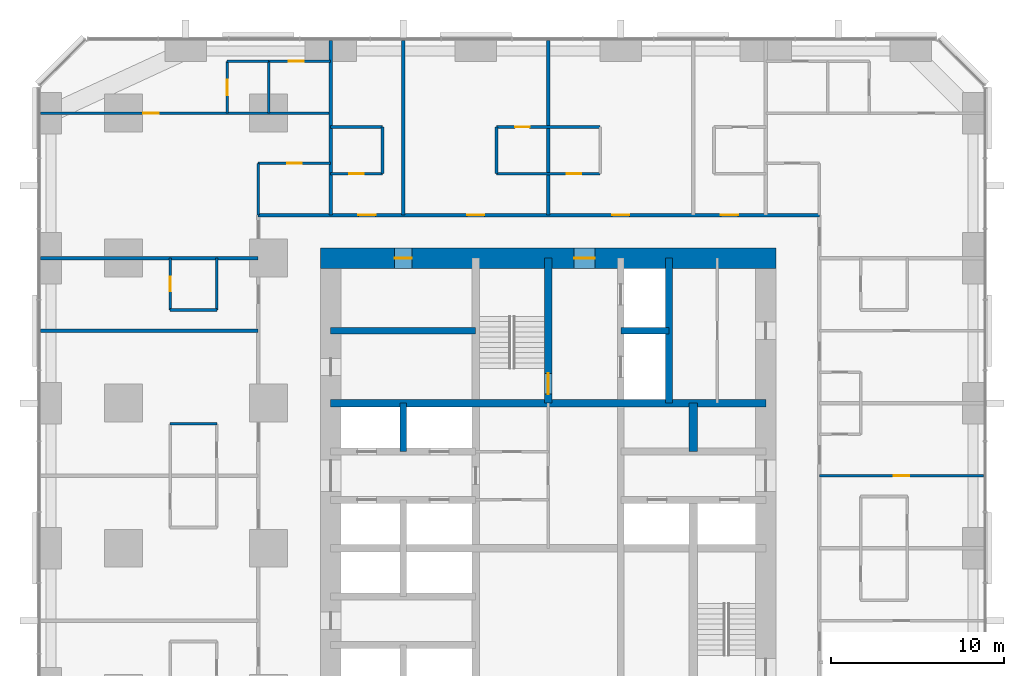
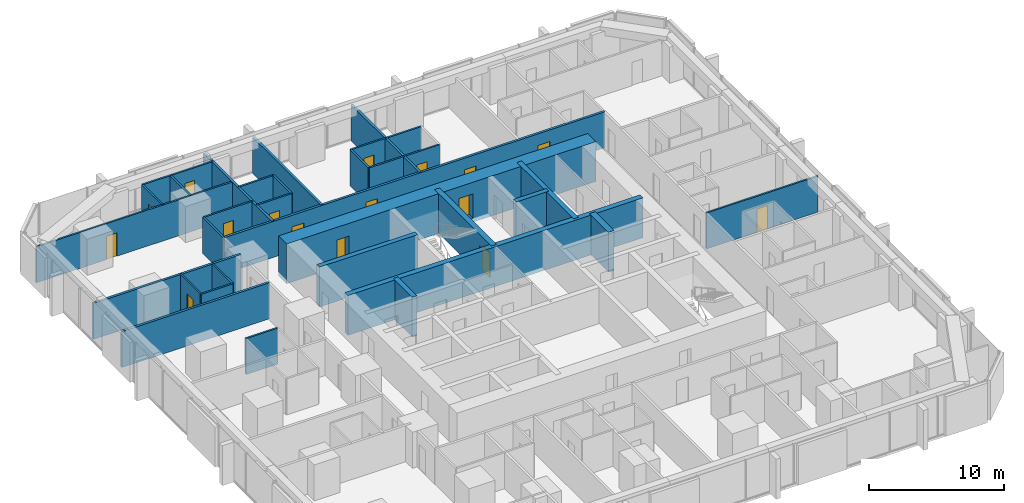
# One storey, part 11 of 13: 32 walls, 16 doors, 16 openings.
"""IFC4 building model written with IfcOpenShell, lengths in metres."""

from ifc_helpers import new_model, si_unit, direction, frame, frame_2d, origin, place, context, subcontext, project, spatial, rectangle, extrude, material, layer, layer_set, type_object, element, fill, save


model = new_model("IFC4")

# Units and contexts
model_context = context("Model", 3, precision=1e-05, world=origin(), true_north=direction((0.0, 1.0)))
body_context = subcontext(model_context, "Body", "Model", "MODEL_VIEW")
ifc_project = project(units=[si_unit("LENGTHUNIT", "METRE"), si_unit("AREAUNIT", "SQUARE_METRE"), si_unit("VOLUMEUNIT", "CUBIC_METRE"), si_unit("PLANEANGLEUNIT", "RADIAN"), si_unit("MASSUNIT", "GRAM", prefix="KILO")], contexts=[model_context])

# Site, building, storey
site_placement = place(None, origin())
site = spatial("IfcSite", under=ifc_project, at=site_placement, CompositionType="ELEMENT")
building_placement = place(site_placement, origin())
building = spatial("IfcBuilding", under=site, at=building_placement, Name="Dunama Terrace Hotel", CompositionType="ELEMENT")
storey_placement = place(building_placement, frame((0.0, 0.0, 144.0)))
storey = spatial("IfcBuildingStorey", under=building, at=storey_placement, Name="L37", CompositionType="ELEMENT", Elevation=144.0)

# Wall, opening, door
ifc_material_1 = material(Name="Gypsum board partition", Category="masonry")
ifc_layer_1 = layer(ifc_material_1, 0.14990234375)
ifc_layer_set_1 = layer_set([ifc_layer_1], Name="Bathroom partition 150")
wall_type_1 = type_object("IfcWallType", Name="Bathroom partition 150", PredefinedType="PARTITIONING", material=ifc_layer_set_1)
wall_1_placement = place(storey_placement, frame((7.5, 39.0, 0.0), z_axis=(0.0, 0.0, 1.0), x_axis=(0.0, 1.0, 0.0)))
wall_1 = element("IfcWall", 1, at=wall_1_placement, inside=storey, type_object=wall_type_1, Name="Bathroom partition 150 L37", PredefinedType="PARTITIONING", context=body_context, shape_type="SweptSolid", body=[
    extrude(rectangle(XDim=3.0, YDim=0.14990234375, at=frame_2d((1.5, 0.0))), origin(), (0.0, 0.0, 1.0), 3.25),
])
opening_1_placement = place(wall_1_placement, frame((1.074951171875, 0.0, 0.0)))
opening_1 = element("IfcOpeningElement", 2, at=opening_1_placement, cuts=wall_1, Name="Opening L37-048", PredefinedType="OPENING", context=body_context, shape_type="SweptSolid", body=[
    extrude(rectangle(XDim=0.85009765625, YDim=2.10009765625, at=frame_2d((0.425048828125, 1.050048828125))), frame((0.0, 0.0849609375, 0.0), z_axis=(0.0, -1.0, 0.0), x_axis=(1.0, 0.0, 0.0)), (0.0, 0.0, 1.0), 0.169921875),
])
ifc_material_2 = material(Name="Timber door with steel frame", Category="steel")
door_type_1 = type_object("IfcDoorType", Name="Bathroom door 850", OperationType="SINGLE_SWING_LEFT", PredefinedType="DOOR", material=ifc_material_2)
door_1_placement = place(opening_1_placement, frame((0.85009765625, 0.0, 0.0), z_axis=(0.0, 0.0, 1.0), x_axis=(-1.0, 0.0, 0.0)))
door_1 = element("IfcDoor", 3, at=door_1_placement, inside=storey, type_object=door_type_1, Name="Door to en-suite bathroom L37-048, type D2", OperationType="SINGLE_SWING_LEFT", OverallHeight=2.10009765625, OverallWidth=0.85009765625, PredefinedType="DOOR", context=body_context, shape_type="SweptSolid", body=[
    extrude(rectangle(XDim=0.85009765625, YDim=2.10009765625, at=frame_2d((0.425048828125, 1.050048828125))), frame((0.0, 0.025146484375, 0.0), z_axis=(0.0, -1.0, 0.0), x_axis=(1.0, 0.0, 0.0)), (0.0, 0.0, 1.0), 0.050048828125),
])
fill(opening_1, door_1)

# Walls
for number, where, z_axis, x_axis, name in (
    (4, (10.199951171875, 39.0, 0.0), (0.0, 0.0, 1.0), (0.0, 1.0, 0.0), "Bathroom partition 150 L37"),
    (5, (12.60009765625, 44.5, 0.0), (0.0, 0.0, 1.0), (0.0, 1.0, 0.0), "Bathroom partition 150 L37"),
):
    element("IfcWall", number, at=place(storey_placement, frame(where, z_axis=z_axis, x_axis=x_axis)), inside=storey, type_object=wall_type_1, Name=name, PredefinedType="PARTITIONING", context=body_context, shape_type="SweptSolid", body=[
        extrude(rectangle(XDim=3.0, YDim=0.14990234375, at=frame_2d((1.5, 0.0))), origin(), (0.0, 0.0, 1.0), 3.25),
    ])
for number, where, z_axis, x_axis, name in (
    (6, (19.800048828125, 46.89990234375, 0.0), (0.0, 0.0, 1.0), (0.0, 1.0, 0.0), "Bathroom partition 150 L37"),
    (7, (26.39990234375, 46.89990234375, 0.0), (0.0, 0.0, 1.0), (0.0, 1.0, 0.0), "Bathroom partition 150 L37"),
):
    element("IfcWall", number, at=place(storey_placement, frame(where, z_axis=z_axis, x_axis=x_axis)), inside=storey, type_object=wall_type_1, Name=name, PredefinedType="PARTITIONING", context=body_context, shape_type="SweptSolid", body=[
        extrude(rectangle(XDim=2.7001953125, YDim=0.14990234375, at=frame_2d((1.35009765625, 0.0))), origin(), (0.0, 0.0, 1.0), 3.25),
    ])
for number, where, z_axis, x_axis, name in (
    (8, (7.5, 32.39990234375, 0.0), (0.0, 0.0, 1.0), (1.0, 0.0, 0.0), "Bathroom partition 150 L37"),
    (9, (7.5, 39.0, 0.0), (0.0, 0.0, 1.0), (1.0, 0.0, 0.0), "Bathroom partition 150 L37"),
):
    element("IfcWall", number, at=place(storey_placement, frame(where, z_axis=z_axis, x_axis=x_axis)), inside=storey, type_object=wall_type_1, Name=name, PredefinedType="PARTITIONING", context=body_context, shape_type="SweptSolid", body=[
        extrude(rectangle(XDim=2.699951171875, YDim=0.14990234375, at=frame_2d((1.35009765625, 0.0))), origin(), (0.0, 0.0, 1.0), 3.25),
    ])

# Wall, opening, door
wall_2_placement = place(storey_placement, frame((16.800048828125, 46.89990234375, 0.0), z_axis=(0.0, 0.0, 1.0), x_axis=(1.0, 0.0, 0.0)))
wall_2 = element("IfcWall", 10, at=wall_2_placement, inside=storey, type_object=wall_type_1, Name="Bathroom partition 150 L37", PredefinedType="PARTITIONING", context=body_context, shape_type="SweptSolid", body=[
    extrude(rectangle(XDim=3.0, YDim=0.14990234375, at=frame_2d((1.5, 0.0))), origin(), (0.0, 0.0, 1.0), 3.25),
])
opening_2_placement = place(wall_2_placement, frame((1.074951171875, 0.0, 0.0)))
opening_2 = element("IfcOpeningElement", 11, at=opening_2_placement, cuts=wall_2, Name="Opening L37-034", PredefinedType="OPENING", context=body_context, shape_type="SweptSolid", body=[
    extrude(rectangle(XDim=0.85009765625, YDim=2.10009765625, at=frame_2d((0.425048828125, 1.050048828125))), frame((0.0, 0.0849609375, 0.0), z_axis=(0.0, -1.0, 0.0), x_axis=(1.0, 0.0, 0.0)), (0.0, 0.0, 1.0), 0.169921875),
])
door_2_placement = place(opening_2_placement, origin())
door_2 = element("IfcDoor", 12, at=door_2_placement, inside=storey, type_object=door_type_1, Name="Door to en-suite bathroom L37-034, type D2", OperationType="SINGLE_SWING_LEFT", OverallHeight=2.10009765625, OverallWidth=0.85009765625, PredefinedType="DOOR", context=body_context, shape_type="SweptSolid", body=[
    extrude(rectangle(XDim=0.85009765625, YDim=2.10009765625, at=frame_2d((0.425048828125, 1.050048828125))), frame((0.0, 0.02490234375, 0.0), z_axis=(0.0, -1.0, 0.0), x_axis=(1.0, 0.0, 0.0)), (0.0, 0.0, 1.0), 0.050048828125),
])
fill(opening_2, door_2)

wall_3_placement = place(storey_placement, frame((26.39990234375, 46.89990234375, 0.0), z_axis=(0.0, 0.0, 1.0), x_axis=(1.0, 0.0, 0.0)))
wall_3 = element("IfcWall", 13, at=wall_3_placement, inside=storey, type_object=wall_type_1, Name="Bathroom partition 150 L37", PredefinedType="PARTITIONING", context=body_context, shape_type="SweptSolid", body=[
    extrude(rectangle(XDim=6.0, YDim=0.14990234375, at=frame_2d((3.0, 0.0))), origin(), (0.0, 0.0, 1.0), 3.25),
])
opening_3_placement = place(wall_3_placement, frame((4.074951171875, 0.0, 0.0)))
opening_3 = element("IfcOpeningElement", 14, at=opening_3_placement, cuts=wall_3, Name="Opening L37-038", PredefinedType="OPENING", context=body_context, shape_type="SweptSolid", body=[
    extrude(rectangle(XDim=0.85009765625, YDim=2.10009765625, at=frame_2d((0.425048828125, 1.050048828125))), frame((0.0, 0.0849609375, 0.0), z_axis=(0.0, -1.0, 0.0), x_axis=(1.0, 0.0, 0.0)), (0.0, 0.0, 1.0), 0.169921875),
])
door_3_placement = place(opening_3_placement, origin())
door_3 = element("IfcDoor", 15, at=door_3_placement, inside=storey, type_object=door_type_1, Name="Door to en-suite bathroom L37-038, type D2", OperationType="SINGLE_SWING_LEFT", OverallHeight=2.10009765625, OverallWidth=0.85009765625, PredefinedType="DOOR", context=body_context, shape_type="SweptSolid", body=[
    extrude(rectangle(XDim=0.85009765625, YDim=2.10009765625, at=frame_2d((0.425048828125, 1.050048828125))), frame((0.0, 0.02490234375, 0.0), z_axis=(0.0, -1.0, 0.0), x_axis=(1.0, 0.0, 0.0)), (0.0, 0.0, 1.0), 0.050048828125),
])
fill(opening_3, door_3)

wall_4_placement = place(storey_placement, frame((12.60009765625, 47.5, 0.0), z_axis=(0.0, 0.0, 1.0), x_axis=(1.0, 0.0, 0.0)))
wall_4 = element("IfcWall", 16, at=wall_4_placement, inside=storey, type_object=wall_type_1, Name="Bathroom partition 150 L37", PredefinedType="PARTITIONING", context=body_context, shape_type="SweptSolid", body=[
    extrude(rectangle(XDim=4.199951171875, YDim=0.14990234375, at=frame_2d((2.10009765625, 0.0))), origin(), (0.0, 0.0, 1.0), 3.25),
])
opening_4_placement = place(wall_4_placement, frame((1.675048828125, 0.0, 0.0)))
opening_4 = element("IfcOpeningElement", 17, at=opening_4_placement, cuts=wall_4, Name="Opening L37-065", PredefinedType="OPENING", context=body_context, shape_type="SweptSolid", body=[
    extrude(rectangle(XDim=0.85009765625, YDim=2.10009765625, at=frame_2d((0.425048828125, 1.050048828125))), frame((0.0, 0.0849609375, 0.0), z_axis=(0.0, -1.0, 0.0), x_axis=(1.0, 0.0, 0.0)), (0.0, 0.0, 1.0), 0.169921875),
])
door_4_placement = place(opening_4_placement, frame((0.85009765625, 0.0, 0.0), z_axis=(0.0, 0.0, 1.0), x_axis=(-1.0, 0.0, 0.0)))
door_4 = element("IfcDoor", 18, at=door_4_placement, inside=storey, type_object=door_type_1, Name="Door to powder room L37-065, type D2", OperationType="SINGLE_SWING_LEFT", OverallHeight=2.10009765625, OverallWidth=0.85009765625, PredefinedType="DOOR", context=body_context, shape_type="SweptSolid", body=[
    extrude(rectangle(XDim=0.85009765625, YDim=2.10009765625, at=frame_2d((0.425048828125, 1.050048828125))), frame((0.0, 0.025146484375, 0.0), z_axis=(0.0, -1.0, 0.0), x_axis=(1.0, 0.0, 0.0)), (0.0, 0.0, 1.0), 0.050048828125),
])
fill(opening_4, door_4)

# Wall
wall_5_placement = place(storey_placement, frame((16.800048828125, 49.60009765625, 0.0), z_axis=(0.0, 0.0, 1.0), x_axis=(1.0, 0.0, 0.0)))
element("IfcWall", 19, at=wall_5_placement, inside=storey, type_object=wall_type_1, Name="Bathroom partition 150 L37", PredefinedType="PARTITIONING", context=body_context, shape_type="SweptSolid", body=[
    extrude(rectangle(XDim=3.0, YDim=0.14990234375, at=frame_2d((1.5, 0.0))), origin(), (0.0, 0.0, 1.0), 3.25),
])

# Wall, opening, door
wall_6_placement = place(storey_placement, frame((26.39990234375, 49.60009765625, 0.0), z_axis=(0.0, 0.0, 1.0), x_axis=(1.0, 0.0, 0.0)))
wall_6 = element("IfcWall", 20, at=wall_6_placement, inside=storey, type_object=wall_type_1, Name="Bathroom partition 150 L37", PredefinedType="PARTITIONING", context=body_context, shape_type="SweptSolid", body=[
    extrude(rectangle(XDim=6.0, YDim=0.14990234375, at=frame_2d((3.0, 0.0))), origin(), (0.0, 0.0, 1.0), 3.25),
])
opening_5_placement = place(wall_6_placement, frame((1.074951171875, 0.0, 0.0)))
opening_5 = element("IfcOpeningElement", 21, at=opening_5_placement, cuts=wall_6, Name="Opening L37-036", PredefinedType="OPENING", context=body_context, shape_type="SweptSolid", body=[
    extrude(rectangle(XDim=0.85009765625, YDim=2.10009765625, at=frame_2d((0.425048828125, 1.050048828125))), frame((0.0, 0.0849609375, 0.0), z_axis=(0.0, -1.0, 0.0), x_axis=(1.0, 0.0, 0.0)), (0.0, 0.0, 1.0), 0.169921875),
])
door_5_placement = place(opening_5_placement, frame((0.85009765625, 0.0, 0.0), z_axis=(0.0, 0.0, 1.0), x_axis=(-1.0, 0.0, 0.0)))
door_5 = element("IfcDoor", 22, at=door_5_placement, inside=storey, type_object=door_type_1, Name="Door to en-suite bathroom L37-036, type D2", OperationType="SINGLE_SWING_LEFT", OverallHeight=2.10009765625, OverallWidth=0.85009765625, PredefinedType="DOOR", context=body_context, shape_type="SweptSolid", body=[
    extrude(rectangle(XDim=0.85009765625, YDim=2.10009765625, at=frame_2d((0.425048828125, 1.050048828125))), frame((0.0, 0.025146484375, 0.0), z_axis=(0.0, -1.0, 0.0), x_axis=(1.0, 0.0, 0.0)), (0.0, 0.0, 1.0), 0.050048828125),
])
fill(opening_5, door_5)

wall_7_placement = place(storey_placement, frame((13.199951171875, 53.39990234375, 0.0), z_axis=(0.0, 0.0, 1.0), x_axis=(1.0, 0.0, 0.0)))
wall_7 = element("IfcWall", 23, at=wall_7_placement, inside=storey, type_object=wall_type_1, Name="Bathroom partition 150 L37", PredefinedType="PARTITIONING", context=body_context, shape_type="SweptSolid", body=[
    extrude(rectangle(XDim=3.60009765625, YDim=0.14990234375, at=frame_2d((1.800048828125, 0.0))), origin(), (0.0, 0.0, 1.0), 3.25),
])
opening_6_placement = place(wall_7_placement, frame((1.175048828125, 0.0, 0.0)))
opening_6 = element("IfcOpeningElement", 24, at=opening_6_placement, cuts=wall_7, Name="Opening L37-067", PredefinedType="OPENING", context=body_context, shape_type="SweptSolid", body=[
    extrude(rectangle(XDim=0.85009765625, YDim=2.10009765625, at=frame_2d((0.425048828125, 1.050048828125))), frame((0.0, 0.0849609375, 0.0), z_axis=(0.0, -1.0, 0.0), x_axis=(1.0, 0.0, 0.0)), (0.0, 0.0, 1.0), 0.169921875),
])
door_6_placement = place(opening_6_placement, frame((0.85009765625, 0.0, 0.0), z_axis=(0.0, 0.0, 1.0), x_axis=(-1.0, 0.0, 0.0)))
door_6 = element("IfcDoor", 25, at=door_6_placement, inside=storey, type_object=door_type_1, Name="Door to en-suite bathroom L37-067, type D2", OperationType="SINGLE_SWING_LEFT", OverallHeight=2.10009765625, OverallWidth=0.85009765625, PredefinedType="DOOR", context=body_context, shape_type="SweptSolid", body=[
    extrude(rectangle(XDim=0.85009765625, YDim=2.10009765625, at=frame_2d((0.425048828125, 1.050048828125))), frame((0.0, 0.025146484375, 0.0), z_axis=(0.0, -1.0, 0.0), x_axis=(1.0, 0.0, 0.0)), (0.0, 0.0, 1.0), 0.050048828125),
])
fill(opening_6, door_6)

# Walls
ifc_material_3 = material(Name="Concrete C50/60", Category="concrete")
ifc_layer_2 = layer(ifc_material_3, 0.39990234375)
ifc_layer_set_2 = layer_set([ifc_layer_2], Name="Core inner wall 400")
wall_type_2 = type_object("IfcWallType", Name="Core inner wall 400", PredefinedType="SHEAR", material=ifc_layer_set_2)
wall_8_placement = place(storey_placement, frame((21.0, 30.800048828125, -0.35009765625), z_axis=(0.0, 0.0, 1.0), x_axis=(0.0, 1.0, 0.0)))
element("IfcWall", 26, at=wall_8_placement, inside=storey, type_object=wall_type_2, Name="Core inner wall 400 L37", PredefinedType="SHEAR", context=body_context, shape_type="SweptSolid", body=[
    extrude(rectangle(XDim=2.800048828125, YDim=0.39990234375, at=frame_2d((1.39990234375, 0.0))), origin(), (0.0, 0.0, 1.0), 3.60009765625),
])
for number, where, z_axis, x_axis, name in (
    (27, (36.39990234375, 33.60009765625, -0.35009765625), (0.0, 0.0, 1.0), (0.0, 1.0, 0.0), "Core inner wall 400 L37"),
    (28, (16.800048828125, 37.800048828125, -0.35009765625), (0.0, 0.0, 1.0), (1.0, 0.0, 0.0), "Core inner wall 400 L37"),
):
    element("IfcWall", number, at=place(storey_placement, frame(where, z_axis=z_axis, x_axis=x_axis)), inside=storey, type_object=wall_type_2, Name=name, PredefinedType="SHEAR", context=body_context, shape_type="SweptSolid", body=[
        extrude(rectangle(XDim=8.39990234375, YDim=0.39990234375, at=frame_2d((4.199951171875, 0.0))), origin(), (0.0, 0.0, 1.0), 3.60009765625),
    ])
wall_9_placement = place(storey_placement, frame((33.60009765625, 37.800048828125, -0.35009765625), z_axis=(0.0, 0.0, 1.0), x_axis=(1.0, 0.0, 0.0)))
element("IfcWall", 29, at=wall_9_placement, inside=storey, type_object=wall_type_2, Name="Core inner wall 400 L37", PredefinedType="SHEAR", context=body_context, shape_type="SweptSolid", body=[
    extrude(rectangle(XDim=2.7998046875, YDim=0.39990234375, at=frame_2d((1.39990234375, 0.0))), origin(), (0.0, 0.0, 1.0), 3.60009765625),
])

# Wall, opening, door
ifc_material_4 = material(Name="Concrete C50/60", Category="concrete")
ifc_layer_3 = layer(ifc_material_4, 0.449951171875)
ifc_layer_set_3 = layer_set([ifc_layer_3], Name="Core inner wall 450")
wall_type_3 = type_object("IfcWallType", Name="Core inner wall 450", PredefinedType="SHEAR", material=ifc_layer_set_3)
wall_10_placement = place(storey_placement, frame((29.39990234375, 33.60009765625, -0.35009765625), z_axis=(0.0, 0.0, 1.0), x_axis=(0.0, 1.0, 0.0)))
wall_10 = element("IfcWall", 30, at=wall_10_placement, inside=storey, type_object=wall_type_3, Name="Core inner wall 450 L37", PredefinedType="SHEAR", context=body_context, shape_type="SweptSolid", body=[
    extrude(rectangle(XDim=8.39990234375, YDim=0.449951171875, at=frame_2d((4.199951171875, 0.0))), origin(), (0.0, 0.0, 1.0), 3.60009765625),
])
opening_7_placement = place(wall_10_placement, frame((0.52490234375, 0.0, 0.35009765625)))
opening_7 = element("IfcOpeningElement", 31, at=opening_7_placement, cuts=wall_10, Name="Opening L37-001", PredefinedType="OPENING", context=body_context, shape_type="SweptSolid", body=[
    extrude(rectangle(XDim=1.199951171875, YDim=2.199951171875, at=frame_2d((0.60009765625, 1.10009765625))), frame((0.0, 0.23486328125, 0.0), z_axis=(0.0, -1.0, 0.0), x_axis=(1.0, 0.0, 0.0)), (0.0, 0.0, 1.0), 0.469970703125),
])
ifc_material_5 = material(Name="Timber door with steel frame", Category="steel")
door_type_2 = type_object("IfcDoorType", Name="Stair door 1200", OperationType="SINGLE_SWING_LEFT", PredefinedType="DOOR", material=ifc_material_5)
door_7_placement = place(opening_7_placement, origin())
door_7 = element("IfcDoor", 32, at=door_7_placement, inside=storey, type_object=door_type_2, Name="Stair door ST1 L37-001, type D5", OperationType="SINGLE_SWING_LEFT", OverallHeight=2.199951171875, OverallWidth=1.199951171875, PredefinedType="DOOR", context=body_context, shape_type="SweptSolid", body=[
    extrude(rectangle(XDim=1.199951171875, YDim=2.199951171875, at=frame_2d((0.60009765625, 1.10009765625))), frame((0.0, 0.02490234375, 0.0), z_axis=(0.0, -1.0, 0.0), x_axis=(1.0, 0.0, 0.0)), (0.0, 0.0, 1.0), 0.050048828125),
])
fill(opening_7, door_7)

# Walls
wall_11_placement = place(storey_placement, frame((16.800048828125, 33.60009765625, -0.35009765625), z_axis=(0.0, 0.0, 1.0), x_axis=(1.0, 0.0, 0.0)))
element("IfcWall", 33, at=wall_11_placement, inside=storey, type_object=wall_type_3, Name="Core inner wall 450 L37", PredefinedType="SHEAR", context=body_context, shape_type="SweptSolid", body=[
    extrude(rectangle(XDim=25.199951171875, YDim=0.449951171875, at=frame_2d((12.60009765625, 0.0))), origin(), (0.0, 0.0, 1.0), 3.60009765625),
])
ifc_material_6 = material(Name="Concrete C50/60", Category="concrete")
ifc_layer_4 = layer(ifc_material_6, 0.5)
ifc_layer_set_4 = layer_set([ifc_layer_4], Name="Core inner wall 500")
wall_type_4 = type_object("IfcWallType", Name="Core inner wall 500", PredefinedType="SHEAR", material=ifc_layer_set_4)
wall_12_placement = place(storey_placement, frame((37.800048828125, 30.800048828125, -0.35009765625), z_axis=(0.0, 0.0, 1.0), x_axis=(0.0, 1.0, 0.0)))
element("IfcWall", 34, at=wall_12_placement, inside=storey, type_object=wall_type_4, Name="Core inner wall 500 L37", PredefinedType="SHEAR", context=body_context, shape_type="SweptSolid", body=[
    extrude(rectangle(XDim=2.800048828125, YDim=0.5, at=frame_2d((1.39990234375, 0.0))), origin(), (0.0, 0.0, 1.0), 3.60009765625),
])

# Wall, openings, doors
ifc_material_7 = material(Name="Concrete C60/75", Category="concrete")
ifc_layer_5 = layer(ifc_material_7, 1.199951171875)
ifc_layer_set_5 = layer_set([ifc_layer_5], Name="Core wall 1200")
wall_type_5 = type_object("IfcWallType", Name="Core wall 1200", PredefinedType="SHEAR", material=ifc_layer_set_5)
wall_13_placement = place(storey_placement, frame((42.60009765625, 42.0, -0.35009765625), z_axis=(0.0, 0.0, 1.0), x_axis=(-1.0, 0.0, 0.0)))
wall_13 = element("IfcWall", 35, at=wall_13_placement, inside=storey, type_object=wall_type_5, Name="Core wall north L37", PredefinedType="SHEAR", context=body_context, shape_type="SweptSolid", body=[
    extrude(rectangle(XDim=26.400146484375, YDim=1.199951171875, at=frame_2d((13.2001953125, 0.0))), origin(), (0.0, 0.0, 1.0), 3.60009765625),
])
opening_8_placement = place(wall_13_placement, frame((21.10009765625, 0.0, 0.35009765625)))
opening_8 = element("IfcOpeningElement", 36, at=opening_8_placement, cuts=wall_13, Name="Opening L37-072", PredefinedType="OPENING", context=body_context, shape_type="SweptSolid", body=[
    extrude(rectangle(XDim=1.0, YDim=2.10009765625, at=frame_2d((0.5, 1.050048828125))), frame((0.0, 0.60986328125, 0.0), z_axis=(0.0, -1.0, 0.0), x_axis=(1.0, 0.0, 0.0)), (0.0, 0.0, 1.0), 1.219970703125),
])
opening_9_placement = place(wall_13_placement, frame((10.5, 0.0, 0.35009765625)))
opening_9 = element("IfcOpeningElement", 37, at=opening_9_placement, cuts=wall_13, Name="Opening L37-078", PredefinedType="OPENING", context=body_context, shape_type="SweptSolid", body=[
    extrude(rectangle(XDim=1.199951171875, YDim=2.199951171875, at=frame_2d((0.60009765625, 1.10009765625))), frame((0.0, 0.60986328125, 0.0), z_axis=(0.0, -1.0, 0.0), x_axis=(1.0, 0.0, 0.0)), (0.0, 0.0, 1.0), 1.219970703125),
])
ifc_material_8 = material(Name="Timber door with steel frame", Category="steel")
door_type_3 = type_object("IfcDoorType", Name="Firefighting lobby door 1200", OperationType="SINGLE_SWING_LEFT", PredefinedType="DOOR", material=ifc_material_8)
door_8_placement = place(opening_9_placement, origin())
door_8 = element("IfcDoor", 38, at=door_8_placement, inside=storey, type_object=door_type_3, Name="Door to firefighting lobby L37-078, type D4", OperationType="SINGLE_SWING_RIGHT", OverallHeight=2.199951171875, OverallWidth=1.199951171875, PredefinedType="DOOR", context=body_context, shape_type="SweptSolid", body=[
    extrude(rectangle(XDim=1.199951171875, YDim=2.199951171875, at=frame_2d((0.60009765625, 1.10009765625))), frame((0.0, 0.02490234375, 0.0), z_axis=(0.0, -1.0, 0.0), x_axis=(1.0, 0.0, 0.0)), (0.0, 0.0, 1.0), 0.050048828125),
])
fill(opening_9, door_8)
ifc_material_9 = material(Name="Timber door with steel frame", Category="steel")
door_type_4 = type_object("IfcDoorType", Name="Service door 1000", OperationType="SINGLE_SWING_LEFT", PredefinedType="DOOR", material=ifc_material_9)
door_9_placement = place(opening_8_placement, origin())
door_9 = element("IfcDoor", 39, at=door_9_placement, inside=storey, type_object=door_type_4, Name="Door to communications and riser room L37-072, type D7", OperationType="SINGLE_SWING_LEFT", OverallHeight=2.10009765625, OverallWidth=1.0, PredefinedType="DOOR", context=body_context, shape_type="SweptSolid", body=[
    extrude(rectangle(XDim=1.0, YDim=2.10009765625, at=frame_2d((0.5, 1.050048828125))), frame((0.0, 0.02490234375, 0.0), z_axis=(0.0, -1.0, 0.0), x_axis=(1.0, 0.0, 0.0)), (0.0, 0.0, 1.0), 0.050048828125),
])
fill(opening_8, door_9)

ifc_material_10 = material(Name="Concrete blockwork", Category="masonry")
ifc_layer_6 = layer(ifc_material_10, 0.199951171875)
ifc_layer_set_6 = layer_set([ifc_layer_6], Name="Corridor partition 200")
wall_type_6 = type_object("IfcWallType", Name="Corridor partition 200", PredefinedType="PARTITIONING", material=ifc_layer_set_6)
wall_14_placement = place(storey_placement, frame((12.60009765625, 44.5, 0.0), z_axis=(0.0, 0.0, 1.0), x_axis=(1.0, 0.0, 0.0)))
wall_14 = element("IfcWall", 40, at=wall_14_placement, inside=storey, type_object=wall_type_6, Name="Corridor partition 200 L37", PredefinedType="PARTITIONING", context=body_context, shape_type="SweptSolid", body=[
    extrude(rectangle(XDim=32.5, YDim=0.199951171875, at=frame_2d((16.25, 0.0))), origin(), (0.0, 0.0, 1.0), 3.25),
])
opening_10_placement = place(wall_14_placement, frame((5.800048828125, 0.0, 0.0)))
opening_10 = element("IfcOpeningElement", 41, at=opening_10_placement, cuts=wall_14, Name="Opening L37-033", PredefinedType="OPENING", context=body_context, shape_type="SweptSolid", body=[
    extrude(rectangle(XDim=1.0, YDim=2.199951171875, at=frame_2d((0.5, 1.10009765625))), frame((0.0, 0.10986328125, 0.0), z_axis=(0.0, -1.0, 0.0), x_axis=(1.0, 0.0, 0.0)), (0.0, 0.0, 1.0), 0.219970703125),
])
opening_11_placement = place(wall_14_placement, frame((12.10009765625, 0.0, 0.0)))
opening_11 = element("IfcOpeningElement", 42, at=opening_11_placement, cuts=wall_14, Name="Opening L37-035", PredefinedType="OPENING", context=body_context, shape_type="SweptSolid", body=[
    extrude(rectangle(XDim=1.0, YDim=2.199951171875, at=frame_2d((0.5, 1.10009765625))), frame((0.0, 0.10986328125, 0.0), z_axis=(0.0, -1.0, 0.0), x_axis=(1.0, 0.0, 0.0)), (0.0, 0.0, 1.0), 0.219970703125),
])
opening_12_placement = place(wall_14_placement, frame((20.5, 0.0, 0.0)))
opening_12 = element("IfcOpeningElement", 43, at=opening_12_placement, cuts=wall_14, Name="Opening L37-037", PredefinedType="OPENING", context=body_context, shape_type="SweptSolid", body=[
    extrude(rectangle(XDim=1.0, YDim=2.199951171875, at=frame_2d((0.5, 1.10009765625))), frame((0.0, 0.10986328125, 0.0), z_axis=(0.0, -1.0, 0.0), x_axis=(1.0, 0.0, 0.0)), (0.0, 0.0, 1.0), 0.219970703125),
])
opening_13_placement = place(wall_14_placement, frame((26.800048828125, 0.0, 0.0)))
opening_13 = element("IfcOpeningElement", 44, at=opening_13_placement, cuts=wall_14, Name="Opening L37-039", PredefinedType="OPENING", context=body_context, shape_type="SweptSolid", body=[
    extrude(rectangle(XDim=1.0, YDim=2.199951171875, at=frame_2d((0.5, 1.10009765625))), frame((0.0, 0.10986328125, 0.0), z_axis=(0.0, -1.0, 0.0), x_axis=(1.0, 0.0, 0.0)), (0.0, 0.0, 1.0), 0.219970703125),
])
ifc_material_11 = material(Name="Timber door with steel frame", Category="steel")
door_type_5 = type_object("IfcDoorType", Name="Guest room door 1000", OperationType="SINGLE_SWING_LEFT", PredefinedType="DOOR", material=ifc_material_11)
door_10_placement = place(opening_10_placement, origin())
door_10 = element("IfcDoor", 45, at=door_10_placement, inside=storey, type_object=door_type_5, Name="Door to premier room L37-033, type D1", OperationType="SINGLE_SWING_LEFT", OverallHeight=2.199951171875, OverallWidth=1.0, PredefinedType="DOOR", context=body_context, shape_type="SweptSolid", body=[
    extrude(rectangle(XDim=1.0, YDim=2.199951171875, at=frame_2d((0.5, 1.10009765625))), frame((0.0, 0.02490234375, 0.0), z_axis=(0.0, -1.0, 0.0), x_axis=(1.0, 0.0, 0.0)), (0.0, 0.0, 1.0), 0.050048828125),
])
fill(opening_10, door_10)
door_11_placement = place(opening_11_placement, origin())
door_11 = element("IfcDoor", 46, at=door_11_placement, inside=storey, type_object=door_type_5, Name="Door to junior suite L37-035, type D1", OperationType="SINGLE_SWING_RIGHT", OverallHeight=2.199951171875, OverallWidth=1.0, PredefinedType="DOOR", context=body_context, shape_type="SweptSolid", body=[
    extrude(rectangle(XDim=1.0, YDim=2.199951171875, at=frame_2d((0.5, 1.10009765625))), frame((0.0, 0.02490234375, 0.0), z_axis=(0.0, -1.0, 0.0), x_axis=(1.0, 0.0, 0.0)), (0.0, 0.0, 1.0), 0.050048828125),
])
fill(opening_11, door_11)
door_12_placement = place(opening_12_placement, origin())
door_12 = element("IfcDoor", 47, at=door_12_placement, inside=storey, type_object=door_type_5, Name="Door to junior suite L37-037, type D1", OperationType="SINGLE_SWING_LEFT", OverallHeight=2.199951171875, OverallWidth=1.0, PredefinedType="DOOR", context=body_context, shape_type="SweptSolid", body=[
    extrude(rectangle(XDim=1.0, YDim=2.199951171875, at=frame_2d((0.5, 1.10009765625))), frame((0.0, 0.02490234375, 0.0), z_axis=(0.0, -1.0, 0.0), x_axis=(1.0, 0.0, 0.0)), (0.0, 0.0, 1.0), 0.050048828125),
])
fill(opening_12, door_12)
door_13_placement = place(opening_13_placement, origin())
door_13 = element("IfcDoor", 48, at=door_13_placement, inside=storey, type_object=door_type_5, Name="Door to premier room L37-039, type D1", OperationType="SINGLE_SWING_LEFT", OverallHeight=2.199951171875, OverallWidth=1.0, PredefinedType="DOOR", context=body_context, shape_type="SweptSolid", body=[
    extrude(rectangle(XDim=1.0, YDim=2.199951171875, at=frame_2d((0.5, 1.10009765625))), frame((0.0, 0.02490234375, 0.0), z_axis=(0.0, -1.0, 0.0), x_axis=(1.0, 0.0, 0.0)), (0.0, 0.0, 1.0), 0.050048828125),
])
fill(opening_13, door_13)

# Walls
ifc_material_12 = material(Name="Concrete blockwork", Category="masonry")
ifc_layer_7 = layer(ifc_material_12, 0.199951171875)
ifc_layer_set_7 = layer_set([ifc_layer_7], Name="Party wall 200")
wall_type_7 = type_object("IfcWallType", Name="Party wall 200", PredefinedType="PARTITIONING", material=ifc_layer_set_7)
for number, where, z_axis, x_axis, name in (
    (49, (16.800048828125, 44.5, 0.0), (0.0, 0.0, 1.0), (0.0, 1.0, 0.0), "Party wall 200 L37"),
    (50, (21.0, 44.5, 0.0), (0.0, 0.0, 1.0), (0.0, 1.0, 0.0), "Party wall 200 L37"),
    (51, (29.39990234375, 44.5, 0.0), (0.0, 0.0, 1.0), (0.0, 1.0, 0.0), "Party wall 200 L37"),
):
    element("IfcWall", number, at=place(storey_placement, frame(where, z_axis=z_axis, x_axis=x_axis)), inside=storey, type_object=wall_type_7, Name=name, PredefinedType="PARTITIONING", context=body_context, shape_type="SweptSolid", body=[
        extrude(rectangle(XDim=10.117919921875, YDim=0.199951171875, at=frame_2d((5.05908203125, 0.0))), origin(), (0.0, 0.0, 1.0), 3.25),
    ])
for number, where, z_axis, x_axis, name in (
    (52, (-0.01806640625, 37.800048828125, 0.0), (0.0, 0.0, 1.0), (1.0, 0.0, 0.0), "Party wall 200 L37"),
    (53, (-0.01806640625, 42.0, 0.0), (0.0, 0.0, 1.0), (1.0, 0.0, 0.0), "Party wall 200 L37"),
):
    element("IfcWall", number, at=place(storey_placement, frame(where, z_axis=z_axis, x_axis=x_axis)), inside=storey, type_object=wall_type_7, Name=name, PredefinedType="PARTITIONING", context=body_context, shape_type="SweptSolid", body=[
        extrude(rectangle(XDim=12.6181640625, YDim=0.199951171875, at=frame_2d((6.30908203125, 0.0))), origin(), (0.0, 0.0, 1.0), 3.25),
    ])

# Wall, opening, door
ifc_material_13 = material(Name="Gypsum board partition", Category="masonry")
ifc_layer_8 = layer(ifc_material_13, 0.14990234375)
ifc_layer_set_8 = layer_set([ifc_layer_8], Name="Room partition 150")
wall_type_8 = type_object("IfcWallType", Name="Room partition 150", PredefinedType="PARTITIONING", material=ifc_layer_set_8)
wall_15_placement = place(storey_placement, frame((10.800048828125, 50.39990234375, 0.0), z_axis=(0.0, 0.0, 1.0), x_axis=(0.0, 1.0, 0.0)))
wall_15 = element("IfcWall", 54, at=wall_15_placement, inside=storey, type_object=wall_type_8, Name="Room partition 150 L37", PredefinedType="PARTITIONING", context=body_context, shape_type="SweptSolid", body=[
    extrude(rectangle(XDim=3.0, YDim=0.14990234375, at=frame_2d((1.5, 0.0))), origin(), (0.0, 0.0, 1.0), 3.25),
])
opening_14_placement = place(wall_15_placement, frame((1.050048828125, 0.0, 0.0)))
opening_14 = element("IfcOpeningElement", 55, at=opening_14_placement, cuts=wall_15, Name="Opening L37-068", PredefinedType="OPENING", context=body_context, shape_type="SweptSolid", body=[
    extrude(rectangle(XDim=0.89990234375, YDim=2.10009765625, at=frame_2d((0.449951171875, 1.050048828125))), frame((0.0, 0.0849609375, 0.0), z_axis=(0.0, -1.0, 0.0), x_axis=(1.0, 0.0, 0.0)), (0.0, 0.0, 1.0), 0.169921875),
])
ifc_material_14 = material(Name="Timber door with steel frame", Category="steel")
door_type_6 = type_object("IfcDoorType", Name="Suite internal door 900", OperationType="SINGLE_SWING_LEFT", PredefinedType="DOOR", material=ifc_material_14)
door_14_placement = place(opening_14_placement, frame((0.89990234375, 0.0, 0.0), z_axis=(0.0, 0.0, 1.0), x_axis=(-1.0, 0.0, 0.0)))
door_14 = element("IfcDoor", 56, at=door_14_placement, inside=storey, type_object=door_type_6, Name="Door to dressing room L37-068, type D16", OperationType="SINGLE_SWING_RIGHT", OverallHeight=2.10009765625, OverallWidth=0.89990234375, PredefinedType="DOOR", context=body_context, shape_type="SweptSolid", body=[
    extrude(rectangle(XDim=0.89990234375, YDim=2.10009765625, at=frame_2d((0.449951171875, 1.050048828125))), frame((0.0, 0.025146484375, 0.0), z_axis=(0.0, -1.0, 0.0), x_axis=(1.0, 0.0, 0.0)), (0.0, 0.0, 1.0), 0.050048828125),
])
fill(opening_14, door_14)

# Wall
wall_16_placement = place(storey_placement, frame((13.199951171875, 50.39990234375, 0.0), z_axis=(0.0, 0.0, 1.0), x_axis=(0.0, 1.0, 0.0)))
element("IfcWall", 57, at=wall_16_placement, inside=storey, type_object=wall_type_8, Name="Room partition 150 L37", PredefinedType="PARTITIONING", context=body_context, shape_type="SweptSolid", body=[
    extrude(rectangle(XDim=3.0, YDim=0.14990234375, at=frame_2d((1.5, 0.0))), origin(), (0.0, 0.0, 1.0), 3.25),
])

# Wall, opening, door
wall_17_placement = place(storey_placement, frame((45.10009765625, 29.39990234375, 0.0), z_axis=(0.0, 0.0, 1.0), x_axis=(1.0, 0.0, 0.0)))
wall_17 = element("IfcWall", 58, at=wall_17_placement, inside=storey, type_object=wall_type_8, Name="Room partition 150 L37", PredefinedType="PARTITIONING", context=body_context, shape_type="SweptSolid", body=[
    extrude(rectangle(XDim=9.517822265625, YDim=0.14990234375, at=frame_2d((4.7587890625, 0.0))), origin(), (0.0, 0.0, 1.0), 3.25),
])
opening_15_placement = place(wall_17_placement, frame((4.300048828125, 0.0, 0.0)))
opening_15 = element("IfcOpeningElement", 59, at=opening_15_placement, cuts=wall_17, Name="Opening L37-027", PredefinedType="OPENING", context=body_context, shape_type="SweptSolid", body=[
    extrude(rectangle(XDim=0.89990234375, YDim=2.10009765625, at=frame_2d((0.449951171875, 1.050048828125))), frame((0.0, 0.0849609375, 0.0), z_axis=(0.0, -1.0, 0.0), x_axis=(1.0, 0.0, 0.0)), (0.0, 0.0, 1.0), 0.169921875),
])
door_15_placement = place(opening_15_placement, frame((0.89990234375, 0.0, 0.0), z_axis=(0.0, 0.0, 1.0), x_axis=(-1.0, 0.0, 0.0)))
door_15 = element("IfcDoor", 60, at=door_15_placement, inside=storey, type_object=door_type_6, Name="Door to premier suite bedroom L37-027, type D16", OperationType="SINGLE_SWING_RIGHT", OverallHeight=2.10009765625, OverallWidth=0.89990234375, PredefinedType="DOOR", context=body_context, shape_type="SweptSolid", body=[
    extrude(rectangle(XDim=0.89990234375, YDim=2.10009765625, at=frame_2d((0.449951171875, 1.050048828125))), frame((0.0, 0.025146484375, 0.0), z_axis=(0.0, -1.0, 0.0), x_axis=(1.0, 0.0, 0.0)), (0.0, 0.0, 1.0), 0.050048828125),
])
fill(opening_15, door_15)

wall_18_placement = place(storey_placement, frame((-0.01806640625, 50.39990234375, 0.0), z_axis=(0.0, 0.0, 1.0), x_axis=(1.0, 0.0, 0.0)))
wall_18 = element("IfcWall", 61, at=wall_18_placement, inside=storey, type_object=wall_type_8, Name="Room partition 150 L37", PredefinedType="PARTITIONING", context=body_context, shape_type="SweptSolid", body=[
    extrude(rectangle(XDim=16.818115234375, YDim=0.14990234375, at=frame_2d((8.4091796875, 0.0))), origin(), (0.0, 0.0, 1.0), 3.25),
])
opening_16_placement = place(wall_18_placement, frame((5.968017578125, 0.0, 0.0)))
opening_16 = element("IfcOpeningElement", 62, at=opening_16_placement, cuts=wall_18, Name="Opening L37-066", PredefinedType="OPENING", context=body_context, shape_type="SweptSolid", body=[
    extrude(rectangle(XDim=0.89990234375, YDim=2.10009765625, at=frame_2d((0.449951171875, 1.050048828125))), frame((0.0, 0.0849609375, 0.0), z_axis=(0.0, -1.0, 0.0), x_axis=(1.0, 0.0, 0.0)), (0.0, 0.0, 1.0), 0.169921875),
])
door_16_placement = place(opening_16_placement, origin())
door_16 = element("IfcDoor", 63, at=door_16_placement, inside=storey, type_object=door_type_6, Name="Door to corner suite bedroom L37-066, type D16", OperationType="SINGLE_SWING_LEFT", OverallHeight=2.10009765625, OverallWidth=0.89990234375, PredefinedType="DOOR", context=body_context, shape_type="SweptSolid", body=[
    extrude(rectangle(XDim=0.89990234375, YDim=2.10009765625, at=frame_2d((0.449951171875, 1.050048828125))), frame((0.0, 0.02490234375, 0.0), z_axis=(0.0, -1.0, 0.0), x_axis=(1.0, 0.0, 0.0)), (0.0, 0.0, 1.0), 0.050048828125),
])
fill(opening_16, door_16)

# Wall
wall_19_placement = place(storey_placement, frame((10.800048828125, 53.39990234375, 0.0), z_axis=(0.0, 0.0, 1.0), x_axis=(1.0, 0.0, 0.0)))
element("IfcWall", 64, at=wall_19_placement, inside=storey, type_object=wall_type_8, Name="Room partition 150 L37", PredefinedType="PARTITIONING", context=body_context, shape_type="SweptSolid", body=[
    extrude(rectangle(XDim=2.39990234375, YDim=0.14990234375, at=frame_2d((1.199951171875, 0.0))), origin(), (0.0, 0.0, 1.0), 3.25),
])

save(model, "model.ifc")
